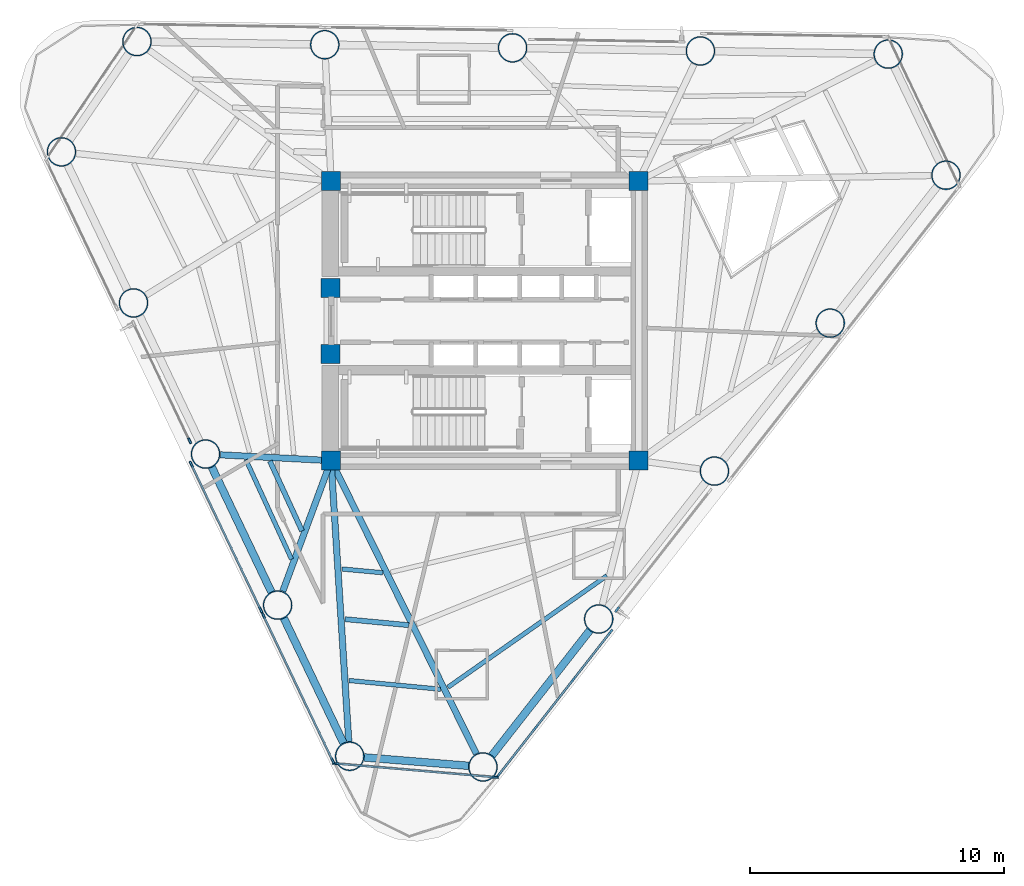
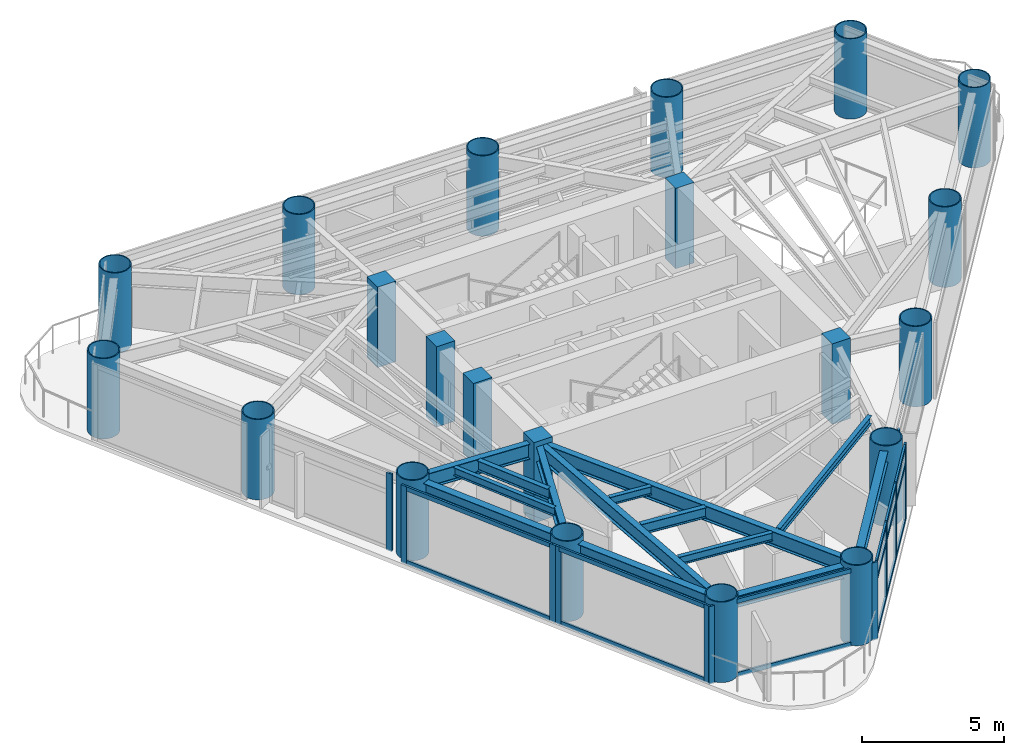
# One storey, part 1 of 10: 27 members, 21 columns, 14 beams, 6 elements without a shape of their own.
"""IFC4 building model written with IfcOpenShell, lengths in metres."""

from ifc_helpers import new_model, si_unit, direction, frame, origin, origin_2d, place, context, subcontext, project, spatial, rectangle, hollow_circle, i_section, extrude, source, transform, mapped, material, layer, layer_set, material_profile, profile_set, type_object, element, aggregate, save


model = new_model("IFC4")

# Units and contexts
model_context = context("Model", 3, precision=1e-05, world=origin(), true_north=direction((0.0, 1.0)))
body_context = subcontext(model_context, "Body", "Model", "MODEL_VIEW")
ifc_project = project(units=[si_unit("LENGTHUNIT", "METRE"), si_unit("AREAUNIT", "SQUARE_METRE"), si_unit("VOLUMEUNIT", "CUBIC_METRE"), si_unit("PLANEANGLEUNIT", "RADIAN"), si_unit("MASSUNIT", "GRAM", prefix="KILO")], contexts=[model_context])

# Site, building, storey
site_placement = place(None, origin())
site = spatial("IfcSite", under=ifc_project, at=site_placement, CompositionType="ELEMENT")
building_placement = place(site_placement, origin())
building = spatial("IfcBuilding", under=site, at=building_placement, Name="Yunling Apex Tower", CompositionType="ELEMENT")
storey_placement = place(building_placement, frame((0.0, 0.0, 215.60009765625)))
storey = spatial("IfcBuildingStorey", under=building, at=storey_placement, Name="L53", CompositionType="ELEMENT", Elevation=215.60009765625)

# Columns
ifc_material_1 = material(Name="Concrete C50", Category="concrete")
ifc_material_profile_1 = material_profile(ifc_material_1, rectangle(XDim=0.75, YDim=0.75, at=origin_2d()))
ifc_profile_set_1 = profile_set([ifc_material_profile_1], Name="Concrete C50")
column_type_1 = type_object("IfcColumnType", Name="PC-SRC-4", PredefinedType="COLUMN", material=ifc_profile_set_1)
shared_shape_1 = source(origin(), body_context, "Body", "SweptSolid", [
    extrude(rectangle(XDim=0.75, YDim=0.75, at=origin_2d()), origin(), (0.0, 0.0, 1.0), 3.449951171875),
])
for number, where, z_axis, x_axis, name in (
    (1, (-6.050048828125, -5.5, 0.0), (0.0, 0.0, 1.0), (1.0, 0.0, 0.0), "L53 Core Spine Column CC-SW"),
    (2, (6.050048828125, -5.5, 0.0), (0.0, 0.0, 1.0), (1.0, 0.0, 0.0), "L53 Core Spine Column CC-SE"),
    (3, (6.050048828125, 5.5, 0.0), (0.0, 0.0, 1.0), (1.0, 0.0, 0.0), "L53 Core Spine Column CC-NE"),
    (4, (-6.050048828125, 5.5, 0.0), (0.0, 0.0, 1.0), (1.0, 0.0, 0.0), "L53 Core Spine Column CC-NW"),
    (5, (-6.074951171875, -1.300048828125, 0.0), (0.0, 0.0, 1.0), (1.0, 0.0, 0.0), "L53 Core West Portal Jamb Column S"),
    (6, (-6.074951171875, 1.300048828125, 0.0), (0.0, 0.0, 1.0), (1.0, 0.0, 0.0), "L53 Core West Portal Jamb Column N"),
):
    element("IfcColumn", number, at=place(storey_placement, frame(where, z_axis=z_axis, x_axis=x_axis)), inside=storey, type_object=column_type_1, Name=name, PredefinedType="COLUMN", context=body_context, shape_type="MappedRepresentation", body=[
        mapped(shared_shape_1, transform((0.0, 0.0, 0.0), scale=1.0)),
    ])
ifc_material_2 = material(Name="Steel Q390GJC", Category="steel")
ifc_material_profile_2 = material_profile(ifc_material_2, hollow_circle(Radius=0.574951171875, WallThickness=0.0419921875, at=origin_2d()))
ifc_profile_set_2 = profile_set([ifc_material_profile_2], Name="Steel Q390GJC")
column_type_2 = type_object("IfcColumnType", Name="MC-CFST-4", PredefinedType="COLUMN", material=ifc_profile_set_2)
shared_shape_2 = source(origin(), body_context, "Body", "SweptSolid", [
    extrude(hollow_circle(Radius=0.574951171875, WallThickness=0.0419921875, at=origin_2d()), origin(), (0.0, 0.0, 1.0), 3.449951171875),
])
for number, where, z_axis, x_axis, name in (
    (7, (-0.073486328125, -17.55322265625, 0.0), (0.0, 0.0, 1.0), (1.0, 0.0, 0.0), "L53 Perimeter CFST Mega-Column P01"),
    (8, (4.480712890625, -11.732177734375, 0.0), (0.0, 0.0, 1.0), (1.0, 0.0, 0.0), "L53 Perimeter CFST Mega-Column P02"),
    (9, (9.03515625, -5.911376953125, 0.0), (0.0, 0.0, 1.0), (1.0, 0.0, 0.0), "L53 Perimeter CFST Mega-Column P03"),
    (10, (13.589599609375, -0.09033203125, 0.0), (0.0, 0.0, 1.0), (1.0, 0.0, 0.0), "L53 Perimeter CFST Mega-Column P04"),
    (11, (18.143798828125, 5.730712890625, 0.0), (0.0, 0.0, 1.0), (1.0, 0.0, 0.0), "L53 Perimeter CFST Mega-Column P05"),
    (12, (15.871826171875, 10.493896484375, 0.0), (0.0, 0.0, 1.0), (1.0, 0.0, 0.0), "L53 Perimeter CFST Mega-Column P06"),
    (13, (8.48193359375, 10.617919921875, 0.0), (0.0, 0.0, 1.0), (1.0, 0.0, 0.0), "L53 Perimeter CFST Mega-Column P07"),
    (14, (1.092041015625, 10.74169921875, 0.0), (0.0, 0.0, 1.0), (1.0, 0.0, 0.0), "L53 Perimeter CFST Mega-Column P08"),
    (15, (-6.2978515625, 10.865478515625, 0.0), (0.0, 0.0, 1.0), (1.0, 0.0, 0.0), "L53 Perimeter CFST Mega-Column P09"),
    (16, (-13.687744140625, 10.989501953125, 0.0), (0.0, 0.0, 1.0), (1.0, 0.0, 0.0), "L53 Perimeter CFST Mega-Column P10"),
    (17, (-16.657958984375, 6.649169921875, 0.0), (0.0, 0.0, 1.0), (1.0, 0.0, 0.0), "L53 Perimeter CFST Mega-Column P11"),
    (18, (-13.822509765625, 0.704345703125, 0.0), (0.0, 0.0, 1.0), (1.0, 0.0, 0.0), "L53 Perimeter CFST Mega-Column P12"),
    (19, (-10.98681640625, -5.240478515625, 0.0), (0.0, 0.0, 1.0), (1.0, 0.0, 0.0), "L53 Perimeter CFST Mega-Column P13"),
    (20, (-8.1513671875, -11.185302734375, 0.0), (0.0, 0.0, 1.0), (1.0, 0.0, 0.0), "L53 Perimeter CFST Mega-Column P14"),
    (21, (-5.31591796875, -17.130126953125, 0.0), (0.0, 0.0, 1.0), (1.0, 0.0, 0.0), "L53 Perimeter CFST Mega-Column P15"),
):
    element("IfcColumn", number, at=place(storey_placement, frame(where, z_axis=z_axis, x_axis=x_axis)), inside=storey, type_object=column_type_2, Name=name, PredefinedType="COLUMN", context=body_context, shape_type="MappedRepresentation", body=[
        mapped(shared_shape_2, transform((0.0, 0.0, 0.0), scale=1.0)),
    ])

# Beams
ifc_material_3 = material(Name="Steel Q355B", Category="steel")
ifc_material_profile_3 = material_profile(ifc_material_3, i_section(OverallWidth=0.300048828125, OverallDepth=0.489990234375, WebThickness=0.010986328125, FlangeThickness=0.01806640625, FilletRadius=0.02197265625, at=origin_2d()))
ifc_profile_set_3 = profile_set([ifc_material_profile_3], Name="Steel Q355B")
beam_type_1 = type_object("IfcBeamType", Name="BP-SPN-2", PredefinedType="SPANDREL", material=ifc_profile_set_3)
shared_shape_3 = source(origin(), body_context, "Body", "SweptSolid", [
    extrude(i_section(OverallWidth=0.300048828125, OverallDepth=0.489990234375, WebThickness=0.010986328125, FlangeThickness=0.01806640625, FilletRadius=0.02197265625, at=origin_2d()), origin(), (0.0, 0.0, 1.0), 6.252685546875),
])
beam_1_placement = place(storey_placement, frame((0.277099609375, -17.10498046875, 2.98486328125), z_axis=(0.616211399259, 0.787580796759, 0.0), x_axis=(-0.787580796759, 0.616211399259, 0.0)))
element("IfcBeam", 22, at=beam_1_placement, inside=storey, type_object=beam_type_1, Name="L53 Perimeter Spandrel Beam 1", PredefinedType="SPANDREL", context=body_context, shape_type="MappedRepresentation", body=[
    mapped(shared_shape_3, transform((0.0, 0.0, 0.0), scale=1.0)),
])
shared_shape_4 = source(origin(), body_context, "Body", "SweptSolid", [
    extrude(i_section(OverallWidth=0.300048828125, OverallDepth=0.489990234375, WebThickness=0.010986328125, FlangeThickness=0.01806640625, FilletRadius=0.02197265625, at=origin_2d()), origin(), (0.0, 0.0, 1.0), 4.121337890625),
])
beam_2_placement = place(storey_placement, frame((-4.74853515625, -17.17578125, 2.98486328125), z_axis=(0.996758900332, -0.080446843376, 0.0), x_axis=(0.080446843376, 0.996758900332, 0.0)))
element("IfcBeam", 23, at=beam_2_placement, inside=storey, type_object=beam_type_1, Name="L53 Perimeter Spandrel Beam 15", PredefinedType="SPANDREL", context=body_context, shape_type="MappedRepresentation", body=[
    mapped(shared_shape_4, transform((0.0, 0.0, 0.0), scale=1.0)),
])
shared_shape_5 = source(origin(), body_context, "Body", "SweptSolid", [
    extrude(i_section(OverallWidth=0.300048828125, OverallDepth=0.489990234375, WebThickness=0.010986328125, FlangeThickness=0.01806640625, FilletRadius=0.02197265625, at=origin_2d()), origin(), (0.0, 0.0, 1.0), 5.4482421875),
])
for number, where, z_axis, x_axis, name in (
    (24, (-10.741943359375, -5.754150390625, 2.98486328125), (0.430538797564, -0.902572071246, 0.0), (0.902572071246, 0.430538797564, 0.0), "L53 Perimeter Spandrel Beam 13"),
    (25, (-7.90625, -11.698974609375, 2.98486328125), (0.430502292287, -0.902589483839, 0.0), (0.902589483839, 0.430502292287, 0.0), "L53 Perimeter Spandrel Beam 14"),
):
    element("IfcBeam", number, at=place(storey_placement, frame(where, z_axis=z_axis, x_axis=x_axis)), inside=storey, type_object=beam_type_1, Name=name, PredefinedType="SPANDREL", context=body_context, shape_type="MappedRepresentation", body=[
        mapped(shared_shape_5, transform((0.0, 0.0, 0.0), scale=1.0)),
    ])
ifc_material_profile_4 = material_profile(ifc_material_3, i_section(OverallWidth=0.25, OverallDepth=0.64990234375, WebThickness=0.011962890625, FlangeThickness=0.02001953125, FilletRadius=0.02392578125, at=origin_2d()))
ifc_profile_set_4 = profile_set([ifc_material_profile_4], Name="Steel Q355B")
beam_type_2 = type_object("IfcBeamType", Name="BG-PRI-4", PredefinedType="USERDEFINED", material=ifc_profile_set_4)
shared_shape_6 = source(origin(), body_context, "Body", "SweptSolid", [
    extrude(i_section(OverallWidth=0.25, OverallDepth=0.64990234375, WebThickness=0.011962890625, FlangeThickness=0.02001953125, FilletRadius=0.02392578125, at=origin_2d()), origin(), (0.0, 0.0, 1.0), 12.79052734375),
])
beam_3_placement = place(storey_placement, frame((-0.33251953125, -17.031005859375, 2.90478515625), z_axis=(-0.444225803272, 0.895914859631, 0.0), x_axis=(-0.895914859631, -0.444225803272, 0.0)))
element("IfcBeam", 26, at=beam_3_placement, inside=storey, type_object=beam_type_2, Name="L53 Radial Primary Girder R01", ObjectType="GIRDER", PredefinedType="USERDEFINED", context=body_context, shape_type="MappedRepresentation", body=[
    mapped(shared_shape_6, transform((0.0, 0.0, 0.0), scale=1.0)),
])
shared_shape_7 = source(origin(), body_context, "Body", "SweptSolid", [
    extrude(i_section(OverallWidth=0.25, OverallDepth=0.64990234375, WebThickness=0.011962890625, FlangeThickness=0.02001953125, FilletRadius=0.02392578125, at=origin_2d()), origin(), (0.0, 0.0, 1.0), 4.28076171875),
])
beam_4_placement = place(storey_placement, frame((-10.40478515625, -5.27099609375, 2.90478515625), z_axis=(0.998619561788, -0.052525906134, 0.0), x_axis=(0.052525906134, 0.998619561788, 0.0)))
element("IfcBeam", 27, at=beam_4_placement, inside=storey, type_object=beam_type_2, Name="L53 Radial Primary Girder R13", ObjectType="GIRDER", PredefinedType="USERDEFINED", context=body_context, shape_type="MappedRepresentation", body=[
    mapped(shared_shape_7, transform((0.0, 0.0, 0.0), scale=1.0)),
])
shared_shape_8 = source(origin(), body_context, "Body", "SweptSolid", [
    extrude(i_section(OverallWidth=0.25, OverallDepth=0.64990234375, WebThickness=0.011962890625, FlangeThickness=0.02001953125, FilletRadius=0.02392578125, at=origin_2d()), origin(), (0.0, 0.0, 1.0), 5.398193359375),
])
beam_5_placement = place(storey_placement, frame((-7.94921875, -10.638427734375, 2.90478515625), z_axis=(0.346698581513, 0.937976595431, 0.0), x_axis=(-0.937976595431, 0.346698581513, 0.0)))
element("IfcBeam", 28, at=beam_5_placement, inside=storey, type_object=beam_type_2, Name="L53 Radial Primary Girder R14", ObjectType="GIRDER", PredefinedType="USERDEFINED", context=body_context, shape_type="MappedRepresentation", body=[
    mapped(shared_shape_8, transform((0.0, 0.0, 0.0), scale=1.0)),
])
shared_shape_9 = source(origin(), body_context, "Body", "SweptSolid", [
    extrude(i_section(OverallWidth=0.25, OverallDepth=0.64990234375, WebThickness=0.011962890625, FlangeThickness=0.02001953125, FilletRadius=0.02392578125, at=origin_2d()), origin(), (0.0, 0.0, 1.0), 10.990234375),
])
beam_6_placement = place(storey_placement, frame((-5.3525390625, -16.54833984375, 2.90478515625), z_axis=(-0.062999232086, 0.998013575437, 0.0), x_axis=(-0.998013575437, -0.062999232086, 0.0)))
element("IfcBeam", 29, at=beam_6_placement, inside=storey, type_object=beam_type_2, Name="L53 Radial Primary Girder R15", ObjectType="GIRDER", PredefinedType="USERDEFINED", context=body_context, shape_type="MappedRepresentation", body=[
    mapped(shared_shape_9, transform((0.0, 0.0, 0.0), scale=1.0)),
])
ifc_material_profile_5 = material_profile(ifc_material_3, i_section(OverallWidth=0.175048828125, OverallDepth=0.35009765625, WebThickness=0.007080078125, FlangeThickness=0.010986328125, FilletRadius=0.013916015625, at=origin_2d()))
ifc_profile_set_5 = profile_set([ifc_material_profile_5], Name="Steel Q355B")
beam_type_3 = type_object("IfcBeamType", Name="BJ-JST-1", PredefinedType="JOIST", material=ifc_profile_set_5)
shared_shape_10 = source(origin(), body_context, "Body", "SweptSolid", [
    extrude(i_section(OverallWidth=0.175048828125, OverallDepth=0.35009765625, WebThickness=0.007080078125, FlangeThickness=0.010986328125, FilletRadius=0.013916015625, at=origin_2d()), origin(), (0.0, 0.0, 1.0), 7.639892578125),
])
beam_7_placement = place(storey_placement, frame((-1.45166015625, -14.41796875, 3.054931640625), z_axis=(0.818522685397, 0.574474206113, 0.0), x_axis=(-0.574474206113, 0.818522685397, 0.0)))
element("IfcBeam", 30, at=beam_7_placement, inside=storey, type_object=beam_type_3, Name="L53 Composite Floor Joist BJ1-1", PredefinedType="JOIST", context=body_context, shape_type="MappedRepresentation", body=[
    mapped(shared_shape_10, transform((0.0, 0.0, 0.0), scale=1.0)),
])
ifc_material_profile_6 = material_profile(ifc_material_3, i_section(OverallWidth=0.199951171875, OverallDepth=0.449951171875, WebThickness=0.009033203125, FlangeThickness=0.013916015625, FilletRadius=0.01806640625, at=origin_2d()))
ifc_profile_set_6 = profile_set([ifc_material_profile_6], Name="Steel Q355B")
beam_type_4 = type_object("IfcBeamType", Name="BS-SEC-3", PredefinedType="BEAM", material=ifc_profile_set_6)
shared_shape_11 = source(origin(), body_context, "Body", "SweptSolid", [
    extrude(i_section(OverallWidth=0.199951171875, OverallDepth=0.449951171875, WebThickness=0.009033203125, FlangeThickness=0.013916015625, FilletRadius=0.01806640625, at=origin_2d()), origin(), (0.0, 0.0, 1.0), 3.0263671875),
])
beam_8_placement = place(storey_placement, frame((-8.456787109375, -5.515380859375, 3.0048828125), z_axis=(0.417707186738, -0.908581700315, 0.0), x_axis=(0.908581700315, 0.417707186738, 0.0)))
element("IfcBeam", 31, at=beam_8_placement, inside=storey, type_object=beam_type_4, Name="L53 Composite Floor Beam BS-13", PredefinedType="BEAM", context=body_context, shape_type="MappedRepresentation", body=[
    mapped(shared_shape_11, transform((0.0, 0.0, 0.0), scale=1.0)),
])
shared_shape_12 = source(origin(), body_context, "Body", "SweptSolid", [
    extrude(i_section(OverallWidth=0.175048828125, OverallDepth=0.35009765625, WebThickness=0.007080078125, FlangeThickness=0.010986328125, FilletRadius=0.013916015625, at=origin_2d()), origin(), (0.0, 0.0, 1.0), 4.3046875),
])
beam_9_placement = place(storey_placement, frame((-9.397705078125, -5.466064453125, 3.054931640625), z_axis=(0.416693768596, -0.909046920248, 0.0), x_axis=(0.909046920248, 0.416693768596, 0.0)))
element("IfcBeam", 32, at=beam_9_placement, inside=storey, type_object=beam_type_3, Name="L53 Composite Floor Joist BJ1-13", PredefinedType="JOIST", context=body_context, shape_type="MappedRepresentation", body=[
    mapped(shared_shape_12, transform((0.0, 0.0, 0.0), scale=1.0)),
])
shared_shape_13 = source(origin(), body_context, "Body", "SweptSolid", [
    extrude(i_section(OverallWidth=0.199951171875, OverallDepth=0.449951171875, WebThickness=0.009033203125, FlangeThickness=0.013916015625, FilletRadius=0.01806640625, at=origin_2d()), origin(), (0.0, 0.0, 1.0), 2.51708984375),
])
beam_10_placement = place(storey_placement, frame((-5.497802734375, -11.7373046875, 3.0048828125), z_axis=(0.995573168634, -0.093989711653, 0.0), x_axis=(0.093989711653, 0.995573168634, 0.0)))
element("IfcBeam", 33, at=beam_10_placement, inside=storey, type_object=beam_type_4, Name="L53 Composite Floor Beam BS-15", PredefinedType="BEAM", context=body_context, shape_type="MappedRepresentation", body=[
    mapped(shared_shape_13, transform((0.0, 0.0, 0.0), scale=1.0)),
])
shared_shape_14 = source(origin(), body_context, "Body", "SweptSolid", [
    extrude(i_section(OverallWidth=0.175048828125, OverallDepth=0.35009765625, WebThickness=0.007080078125, FlangeThickness=0.010986328125, FilletRadius=0.013916015625, at=origin_2d()), origin(), (0.0, 0.0, 1.0), 3.620361328125),
])
beam_11_placement = place(storey_placement, frame((-5.345703125, -14.150390625, 3.054931640625), z_axis=(0.99546937037, -0.095082767391, 0.0), x_axis=(0.095082767391, 0.99546937037, 0.0)))
element("IfcBeam", 34, at=beam_11_placement, inside=storey, type_object=beam_type_3, Name="L53 Composite Floor Joist BJ1-15", PredefinedType="JOIST", context=body_context, shape_type="MappedRepresentation", body=[
    mapped(shared_shape_14, transform((0.0, 0.0, 0.0), scale=1.0)),
])
shared_shape_15 = source(origin(), body_context, "Body", "SweptSolid", [
    extrude(i_section(OverallWidth=0.175048828125, OverallDepth=0.35009765625, WebThickness=0.007080078125, FlangeThickness=0.010986328125, FilletRadius=0.013916015625, at=origin_2d()), origin(), (0.0, 0.0, 1.0), 1.61474609375),
])
beam_12_placement = place(storey_placement, frame((-5.62255859375, -9.7626953125, 3.054931640625), z_axis=(0.995751976421, -0.092076063413, 0.0), x_axis=(0.092076063413, 0.995751976421, 0.0)))
element("IfcBeam", 35, at=beam_12_placement, inside=storey, type_object=beam_type_3, Name="L53 Composite Floor Joist BJ3-15", PredefinedType="JOIST", context=body_context, shape_type="MappedRepresentation", body=[
    mapped(shared_shape_15, transform((0.0, 0.0, 0.0), scale=1.0)),
])

# Curtain wall, members
ifc_material_4 = material(Name="Bronze anodised aluminium", Category="aluminium")
ifc_layer = layer(ifc_material_4, 0.239990234375)
ifc_layer_set = layer_set([ifc_layer], Name="Bronze anodised aluminium")
curtain_wall_type = type_object("IfcCurtainWallType", Name="CW-SYS-3", PredefinedType="NOTDEFINED", material=ifc_layer_set)
curtain_wall_1_placement = place(storey_placement, origin())
curtain_wall_1 = element("IfcCurtainWall", 36, at=curtain_wall_1_placement, inside=storey, type_object=curtain_wall_type, Name="CW-L53-F1-B1", PredefinedType="NOTDEFINED")
ifc_material_profile_7 = material_profile(ifc_material_4, rectangle(XDim=0.080078125, YDim=0.239990234375, at=origin_2d()))
ifc_profile_set_7 = profile_set([ifc_material_profile_7], Name="Bronze anodised aluminium")
member_type_1 = type_object("IfcMemberType", Name="CW-MUL-3", PredefinedType="MULLION", material=ifc_profile_set_7)
shared_shape_16 = source(origin(), body_context, "Body", "SweptSolid", [
    extrude(rectangle(XDim=0.080078125, YDim=0.239990234375, at=origin_2d()), origin(), (0.0, 0.0, 1.0), 3.329833984375),
])
member_1_placement = place(storey_placement, frame((0.535888671875, -17.877685546875, -0.050048828125), z_axis=(0.0, 0.0, 1.0), x_axis=(-0.787589332433, 0.616200489644, 0.0)))
member_1 = element("IfcMember", 37, at=member_1_placement, type_object=member_type_1, Name="CW-SYS-3 mullion 1", PredefinedType="MULLION", context=body_context, shape_type="MappedRepresentation", body=[
    mapped(shared_shape_16, transform((0.0, 0.0, 0.0), scale=1.0)),
])
member_2_placement = place(storey_placement, frame((1.99658203125, -16.010986328125, -0.050048828125), z_axis=(0.0, 0.0, 1.0), x_axis=(-0.787589332433, 0.616200489644, 0.0)))
member_2 = element("IfcMember", 38, at=member_2_placement, type_object=member_type_1, Name="CW-SYS-3 mullion 2", PredefinedType="MULLION", context=body_context, shape_type="MappedRepresentation", body=[
    mapped(shared_shape_16, transform((0.0, 0.0, 0.0), scale=1.0)),
])
member_3_placement = place(storey_placement, frame((3.481689453125, -14.112548828125, -0.050048828125), z_axis=(0.0, 0.0, 1.0), x_axis=(-0.787589332433, 0.616200489644, 0.0)))
member_3 = element("IfcMember", 39, at=member_3_placement, type_object=member_type_1, Name="CW-SYS-3 mullion 3", PredefinedType="MULLION", context=body_context, shape_type="MappedRepresentation", body=[
    mapped(shared_shape_16, transform((0.0, 0.0, 0.0), scale=1.0)),
])
member_4_placement = place(storey_placement, frame((4.9423828125, -12.24560546875, -0.050048828125), z_axis=(0.0, 0.0, 1.0), x_axis=(-0.787589332433, 0.616200489644, 0.0)))
member_4 = element("IfcMember", 40, at=member_4_placement, type_object=member_type_1, Name="CW-SYS-3 mullion 4", PredefinedType="MULLION", context=body_context, shape_type="MappedRepresentation", body=[
    mapped(shared_shape_16, transform((0.0, 0.0, 0.0), scale=1.0)),
])

# Curtain wall, member
curtain_wall_2_placement = place(storey_placement, origin())
curtain_wall_2 = element("IfcCurtainWall", 41, at=curtain_wall_2_placement, inside=storey, type_object=curtain_wall_type, Name="CW-L53-F1-B2", PredefinedType="NOTDEFINED")
member_5_placement = place(storey_placement, frame((5.20458984375, -11.35888671875, -0.050048828125), z_axis=(0.0, 0.0, 1.0), x_axis=(-0.787576499109, 0.616216892053, 0.0)))
member_5 = element("IfcMember", 42, at=member_5_placement, type_object=member_type_1, Name="CW-SYS-3 mullion 1", PredefinedType="MULLION", context=body_context, shape_type="MappedRepresentation", body=[
    mapped(shared_shape_16, transform((0.0, 0.0, 0.0), scale=1.0)),
])
aggregate(curtain_wall_2, [member_5])

curtain_wall_3_placement = place(storey_placement, origin())
curtain_wall_3 = element("IfcCurtainWall", 43, at=curtain_wall_3_placement, inside=storey, type_object=curtain_wall_type, Name="CW-L53-F3-B2", PredefinedType="NOTDEFINED")
member_6_placement = place(storey_placement, frame((-11.6123046875, -4.718994140625, -0.050048828125), z_axis=(0.0, 0.0, 1.0), x_axis=(0.902583049107, 0.430515783062, 0.0)))
member_6 = element("IfcMember", 44, at=member_6_placement, type_object=member_type_1, Name="CW-SYS-3 mullion 2", PredefinedType="MULLION", context=body_context, shape_type="MappedRepresentation", body=[
    mapped(shared_shape_16, transform((0.0, 0.0, 0.0), scale=1.0)),
])
aggregate(curtain_wall_3, [member_6])

# Curtain wall, members
curtain_wall_4_placement = place(storey_placement, origin())
curtain_wall_4 = element("IfcCurtainWall", 45, at=curtain_wall_4_placement, inside=storey, type_object=curtain_wall_type, Name="CW-L53-F3-B3", PredefinedType="NOTDEFINED")
member_7_placement = place(storey_placement, frame((-11.549072265625, -5.6416015625, -0.050048828125), z_axis=(0.0, 0.0, 1.0), x_axis=(0.902588239851, 0.430504900417, 0.0)))
member_7 = element("IfcMember", 46, at=member_7_placement, type_object=member_type_1, Name="CW-SYS-3 mullion 1", PredefinedType="MULLION", context=body_context, shape_type="MappedRepresentation", body=[
    mapped(shared_shape_16, transform((0.0, 0.0, 0.0), scale=1.0)),
])
member_8_placement = place(storey_placement, frame((-8.81689453125, -11.36962890625, -0.050048828125), z_axis=(0.0, 0.0, 1.0), x_axis=(0.902588239851, 0.430504900417, 0.0)))
member_8 = element("IfcMember", 47, at=member_8_placement, type_object=member_type_1, Name="CW-SYS-3 mullion 2", PredefinedType="MULLION", context=body_context, shape_type="MappedRepresentation", body=[
    mapped(shared_shape_16, transform((0.0, 0.0, 0.0), scale=1.0)),
])

curtain_wall_5_placement = place(storey_placement, origin())
curtain_wall_5 = element("IfcCurtainWall", 48, at=curtain_wall_5_placement, inside=storey, type_object=curtain_wall_type, Name="CW-L53-F3-B4", PredefinedType="NOTDEFINED")
member_9_placement = place(storey_placement, frame((-8.71337890625, -11.586181640625, -0.050048828125), z_axis=(0.0, 0.0, 1.0), x_axis=(0.902582193367, 0.430517577128, 0.0)))
member_9 = element("IfcMember", 49, at=member_9_placement, type_object=member_type_1, Name="CW-SYS-3 mullion 1", PredefinedType="MULLION", context=body_context, shape_type="MappedRepresentation", body=[
    mapped(shared_shape_16, transform((0.0, 0.0, 0.0), scale=1.0)),
])
member_10_placement = place(storey_placement, frame((-5.981201171875, -17.314453125, -0.050048828125), z_axis=(0.0, 0.0, 1.0), x_axis=(0.902582193367, 0.430517577128, 0.0)))
member_10 = element("IfcMember", 50, at=member_10_placement, type_object=member_type_1, Name="CW-SYS-3 mullion 2", PredefinedType="MULLION", context=body_context, shape_type="MappedRepresentation", body=[
    mapped(shared_shape_16, transform((0.0, 0.0, 0.0), scale=1.0)),
])

curtain_wall_6_placement = place(storey_placement, origin())
curtain_wall_6 = element("IfcCurtainWall", 51, at=curtain_wall_6_placement, inside=storey, type_object=curtain_wall_type, Name="CW-L53-CRN3", PredefinedType="NOTDEFINED")
member_11_placement = place(storey_placement, frame((-5.87158203125, -17.417724609375, -0.050048828125), z_axis=(0.0, 0.0, 1.0), x_axis=(0.085517150026, 0.996336698637, 0.0)))
member_11 = element("IfcMember", 52, at=member_11_placement, type_object=member_type_1, Name="CW-SYS-3 mullion 1", PredefinedType="MULLION", context=body_context, shape_type="MappedRepresentation", body=[
    mapped(shared_shape_16, transform((0.0, 0.0, 0.0), scale=1.0)),
])
member_12_placement = place(storey_placement, frame((0.406494140625, -17.95654296875, -0.050048828125), z_axis=(0.0, 0.0, 1.0), x_axis=(0.085517150026, 0.996336698637, 0.0)))
member_12 = element("IfcMember", 53, at=member_12_placement, type_object=member_type_1, Name="CW-SYS-3 mullion 2", PredefinedType="MULLION", context=body_context, shape_type="MappedRepresentation", body=[
    mapped(shared_shape_16, transform((0.0, 0.0, 0.0), scale=1.0)),
])

# Member
ifc_material_profile_8 = material_profile(ifc_material_4, rectangle(XDim=0.080078125, YDim=0.18505859375, at=origin_2d()))
ifc_profile_set_8 = profile_set([ifc_material_profile_8], Name="Bronze anodised aluminium")
member_type_2 = type_object("IfcMemberType", Name="CW-TRN-3", PredefinedType="USERDEFINED", material=ifc_profile_set_8)
shared_shape_17 = source(origin(), body_context, "Body", "SweptSolid", [
    extrude(rectangle(XDim=0.080078125, YDim=0.18505859375, at=origin_2d()), origin(), (0.0, 0.0, 1.0), 2.29833984375),
])
member_13_placement = place(storey_placement, frame((0.55810546875, -17.849365234375, 0.039794921875), z_axis=(0.616225194125, 0.787570003317, 0.0), x_axis=(-0.787570003317, 0.616225194125, 0.0)))
member_13 = element("IfcMember", 54, at=member_13_placement, type_object=member_type_2, Name="CW-SYS-3 transom 1.1", ObjectType="TRANSOM", PredefinedType="USERDEFINED", context=body_context, shape_type="MappedRepresentation", body=[
    mapped(shared_shape_17, transform((0.0, 0.0, 0.0), scale=1.0)),
])

member_14_placement = place(storey_placement, frame((0.55810546875, -17.849365234375, 2.45458984375), z_axis=(0.616225194125, 0.787570003317, 0.0), x_axis=(-0.787570003317, 0.616225194125, 0.0)))
member_14 = element("IfcMember", 55, at=member_14_placement, type_object=member_type_2, Name="CW-SYS-3 transom 1.2", ObjectType="TRANSOM", PredefinedType="USERDEFINED", context=body_context, shape_type="MappedRepresentation", body=[
    mapped(shared_shape_17, transform((0.0, 0.0, 0.0), scale=1.0)),
])

member_15_placement = place(storey_placement, frame((0.55810546875, -17.849365234375, 3.18994140625), z_axis=(0.616225194125, 0.787570003317, 0.0), x_axis=(-0.787570003317, 0.616225194125, 0.0)))
member_15 = element("IfcMember", 56, at=member_15_placement, type_object=member_type_2, Name="CW-SYS-3 transom 1.3", ObjectType="TRANSOM", PredefinedType="USERDEFINED", context=body_context, shape_type="MappedRepresentation", body=[
    mapped(shared_shape_17, transform((0.0, 0.0, 0.0), scale=1.0)),
])

member_16_placement = place(storey_placement, frame((3.50390625, -14.084228515625, 0.039794921875), z_axis=(0.616225194125, 0.787570003317, 0.0), x_axis=(-0.787570003317, 0.616225194125, 0.0)))
member_16 = element("IfcMember", 57, at=member_16_placement, type_object=member_type_2, Name="CW-SYS-3 transom 3.1", ObjectType="TRANSOM", PredefinedType="USERDEFINED", context=body_context, shape_type="MappedRepresentation", body=[
    mapped(shared_shape_17, transform((0.0, 0.0, 0.0), scale=1.0)),
])

member_17_placement = place(storey_placement, frame((3.50390625, -14.084228515625, 2.45458984375), z_axis=(0.616225194125, 0.787570003317, 0.0), x_axis=(-0.787570003317, 0.616225194125, 0.0)))
member_17 = element("IfcMember", 58, at=member_17_placement, type_object=member_type_2, Name="CW-SYS-3 transom 3.2", ObjectType="TRANSOM", PredefinedType="USERDEFINED", context=body_context, shape_type="MappedRepresentation", body=[
    mapped(shared_shape_17, transform((0.0, 0.0, 0.0), scale=1.0)),
])

member_18_placement = place(storey_placement, frame((3.50390625, -14.084228515625, 3.18994140625), z_axis=(0.616225194125, 0.787570003317, 0.0), x_axis=(-0.787570003317, 0.616225194125, 0.0)))
member_18 = element("IfcMember", 59, at=member_18_placement, type_object=member_type_2, Name="CW-SYS-3 transom 3.3", ObjectType="TRANSOM", PredefinedType="USERDEFINED", context=body_context, shape_type="MappedRepresentation", body=[
    mapped(shared_shape_17, transform((0.0, 0.0, 0.0), scale=1.0)),
])

shared_shape_18 = source(origin(), body_context, "Body", "SweptSolid", [
    extrude(rectangle(XDim=0.080078125, YDim=0.18505859375, at=origin_2d()), origin(), (0.0, 0.0, 1.0), 2.338134765625),
])
member_19_placement = place(storey_placement, frame((2.018798828125, -15.982421875, 0.039794921875), z_axis=(0.61616466275, 0.787617361654, 0.0), x_axis=(-0.787617361654, 0.61616466275, 0.0)))
member_19 = element("IfcMember", 60, at=member_19_placement, type_object=member_type_2, Name="CW-SYS-3 transom 2.1", ObjectType="TRANSOM", PredefinedType="USERDEFINED", context=body_context, shape_type="MappedRepresentation", body=[
    mapped(shared_shape_18, transform((0.0, 0.0, 0.0), scale=1.0)),
])

member_20_placement = place(storey_placement, frame((2.018798828125, -15.982421875, 2.45458984375), z_axis=(0.61616466275, 0.787617361654, 0.0), x_axis=(-0.787617361654, 0.61616466275, 0.0)))
member_20 = element("IfcMember", 61, at=member_20_placement, type_object=member_type_2, Name="CW-SYS-3 transom 2.2", ObjectType="TRANSOM", PredefinedType="USERDEFINED", context=body_context, shape_type="MappedRepresentation", body=[
    mapped(shared_shape_18, transform((0.0, 0.0, 0.0), scale=1.0)),
])

member_21_placement = place(storey_placement, frame((2.018798828125, -15.982421875, 3.18994140625), z_axis=(0.61616466275, 0.787617361654, 0.0), x_axis=(-0.787617361654, 0.61616466275, 0.0)))
member_21 = element("IfcMember", 62, at=member_21_placement, type_object=member_type_2, Name="CW-SYS-3 transom 2.3", ObjectType="TRANSOM", PredefinedType="USERDEFINED", context=body_context, shape_type="MappedRepresentation", body=[
    mapped(shared_shape_18, transform((0.0, 0.0, 0.0), scale=1.0)),
])

aggregate(curtain_wall_1, [member_1, member_2, member_3, member_4, member_13, member_14, member_15, member_19, member_20, member_21, member_16, member_17, member_18])

shared_shape_19 = source(origin(), body_context, "Body", "SweptSolid", [
    extrude(rectangle(XDim=0.080078125, YDim=0.18505859375, at=origin_2d()), origin(), (0.0, 0.0, 1.0), 6.2744140625),
])
member_22_placement = place(storey_placement, frame((-11.533447265625, -5.674072265625, 0.039794921875), z_axis=(0.430513491492, -0.902584142141, 0.0), x_axis=(0.902584142141, 0.430513491492, 0.0)))
member_22 = element("IfcMember", 63, at=member_22_placement, type_object=member_type_2, Name="CW-SYS-3 transom 1.1", ObjectType="TRANSOM", PredefinedType="USERDEFINED", context=body_context, shape_type="MappedRepresentation", body=[
    mapped(shared_shape_19, transform((0.0, 0.0, 0.0), scale=1.0)),
])

member_23_placement = place(storey_placement, frame((-11.533447265625, -5.674072265625, 3.18994140625), z_axis=(0.430513491492, -0.902584142141, 0.0), x_axis=(0.902584142141, 0.430513491492, 0.0)))
member_23 = element("IfcMember", 64, at=member_23_placement, type_object=member_type_2, Name="CW-SYS-3 transom 1.2", ObjectType="TRANSOM", PredefinedType="USERDEFINED", context=body_context, shape_type="MappedRepresentation", body=[
    mapped(shared_shape_19, transform((0.0, 0.0, 0.0), scale=1.0)),
])

aggregate(curtain_wall_4, [member_7, member_8, member_22, member_23])

member_24_placement = place(storey_placement, frame((-8.697998046875, -11.618896484375, 0.039794921875), z_axis=(0.430513491492, -0.902584142141, 0.0), x_axis=(0.902584142141, 0.430513491492, 0.0)))
member_24 = element("IfcMember", 65, at=member_24_placement, type_object=member_type_2, Name="CW-SYS-3 transom 1.1", ObjectType="TRANSOM", PredefinedType="USERDEFINED", context=body_context, shape_type="MappedRepresentation", body=[
    mapped(shared_shape_19, transform((0.0, 0.0, 0.0), scale=1.0)),
])

member_25_placement = place(storey_placement, frame((-8.697998046875, -11.618896484375, 3.18994140625), z_axis=(0.430513491492, -0.902584142141, 0.0), x_axis=(0.902584142141, 0.430513491492, 0.0)))
member_25 = element("IfcMember", 66, at=member_25_placement, type_object=member_type_2, Name="CW-SYS-3 transom 1.2", ObjectType="TRANSOM", PredefinedType="USERDEFINED", context=body_context, shape_type="MappedRepresentation", body=[
    mapped(shared_shape_19, transform((0.0, 0.0, 0.0), scale=1.0)),
])

aggregate(curtain_wall_5, [member_9, member_10, member_24, member_25])

shared_shape_20 = source(origin(), body_context, "Body", "SweptSolid", [
    extrude(rectangle(XDim=0.080078125, YDim=0.18505859375, at=origin_2d()), origin(), (0.0, 0.0, 1.0), 6.22900390625),
])
member_26_placement = place(storey_placement, frame((-5.835693359375, -17.420654296875, 0.039794921875), z_axis=(0.996336446565, -0.085520086795, 0.0), x_axis=(0.085520086795, 0.996336446565, 0.0)))
member_26 = element("IfcMember", 67, at=member_26_placement, type_object=member_type_2, Name="CW-SYS-3 transom 1.1", ObjectType="TRANSOM", PredefinedType="USERDEFINED", context=body_context, shape_type="MappedRepresentation", body=[
    mapped(shared_shape_20, transform((0.0, 0.0, 0.0), scale=1.0)),
])

member_27_placement = place(storey_placement, frame((-5.835693359375, -17.420654296875, 3.18994140625), z_axis=(0.996336446565, -0.085520086795, 0.0), x_axis=(0.085520086795, 0.996336446565, 0.0)))
member_27 = element("IfcMember", 68, at=member_27_placement, type_object=member_type_2, Name="CW-SYS-3 transom 1.2", ObjectType="TRANSOM", PredefinedType="USERDEFINED", context=body_context, shape_type="MappedRepresentation", body=[
    mapped(shared_shape_20, transform((0.0, 0.0, 0.0), scale=1.0)),
])

aggregate(curtain_wall_6, [member_11, member_12, member_26, member_27])

save(model, "model.ifc")
